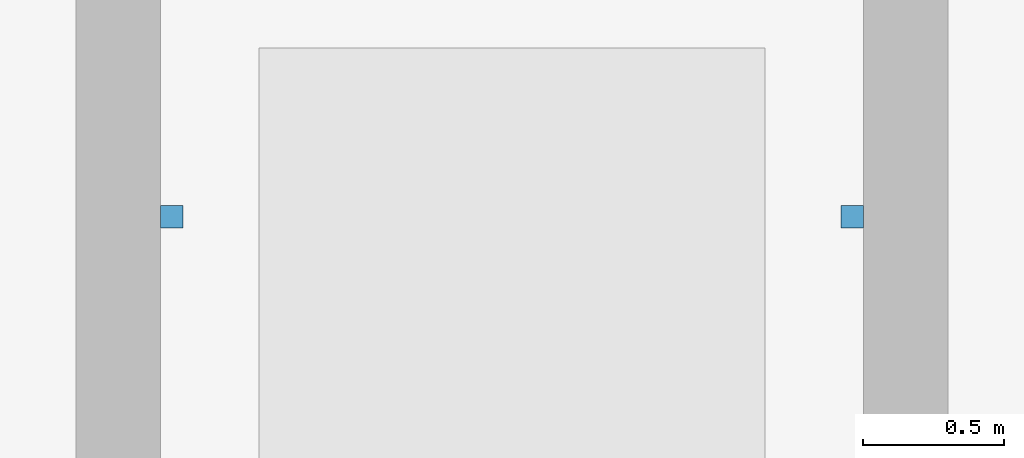
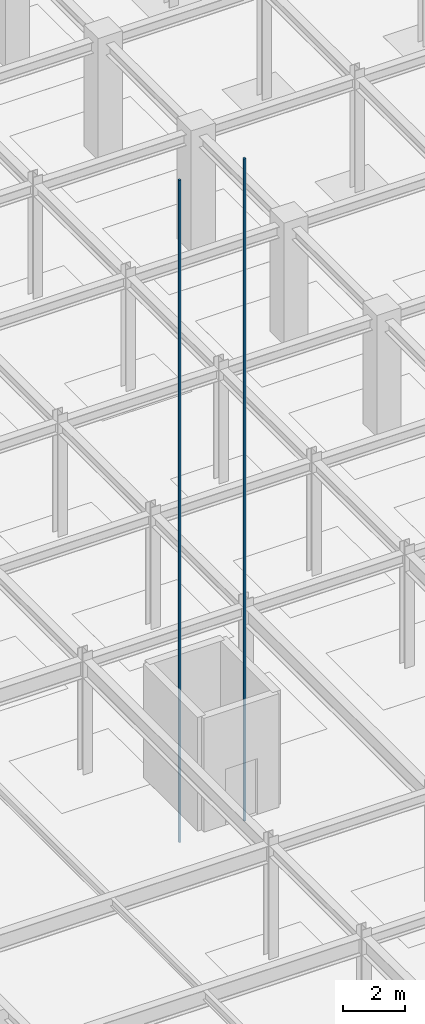
# One storey, part 50 of 69: 2 discrete accessories.
"""IFC4 building model written with IfcOpenShell, lengths in metres."""

from ifc_helpers import new_model, si_unit, direction, frame, origin, origin_2d, place, context, subcontext, project, spatial, rectangle, extrude, material, type_object, element, save


model = new_model("IFC4")

# Units and contexts
model_context = context("Model", 3, precision=1e-05, world=origin(), true_north=direction((0.0, 1.0)))
body_context = subcontext(model_context, "Body", "Model", "MODEL_VIEW")
ifc_project = project(units=[si_unit("LENGTHUNIT", "METRE"), si_unit("AREAUNIT", "SQUARE_METRE"), si_unit("VOLUMEUNIT", "CUBIC_METRE"), si_unit("PLANEANGLEUNIT", "RADIAN"), si_unit("MASSUNIT", "GRAM", prefix="KILO")], contexts=[model_context])

# Site, building, storey
site_placement = place(None, origin())
site = spatial("IfcSite", under=ifc_project, at=site_placement, CompositionType="ELEMENT")
building_placement = place(site_placement, origin())
building = spatial("IfcBuilding", under=site, at=building_placement, Name="Zlatovratsky Civic Hall", CompositionType="ELEMENT")
storey_placement = place(building_placement, frame((0.0, 0.0, -4.800048828125)))
storey = spatial("IfcBuildingStorey", under=building, at=storey_placement, Name="B1", CompositionType="ELEMENT", Elevation=-4.800048828125)

# Discrete accessories
ifc_material = material(Name="Steel S355", Category="steel")
discrete_accessory_type = type_object("IfcDiscreteAccessoryType", Name="Lift_GuideRail", PredefinedType="USERDEFINED", material=ifc_material)
for number, where, z_axis, x_axis, name in (
    (1, (49.7900390625, 27.0, -1.60009765625), (0.0, 0.0, 1.0), (1.0, 0.0, 0.0), "Lift Guide Rail LP-07 L"),
    (2, (52.2099609375, 27.0, -1.60009765625), (0.0, 0.0, 1.0), (1.0, 0.0, 0.0), "Lift Guide Rail LP-07 R"),
):
    element("IfcDiscreteAccessory", number, at=place(storey_placement, frame(where, z_axis=z_axis, x_axis=x_axis)), inside=storey, type_object=discrete_accessory_type, Name=name, ObjectType="GUIDE RAIL", PredefinedType="USERDEFINED", context=body_context, shape_type="SweptSolid", body=[
        extrude(rectangle(XDim=0.080078125, YDim=0.080078125, at=origin_2d()), origin(), (0.0, 0.0, 1.0), 26.10009765625),
    ])

save(model, "model.ifc")
